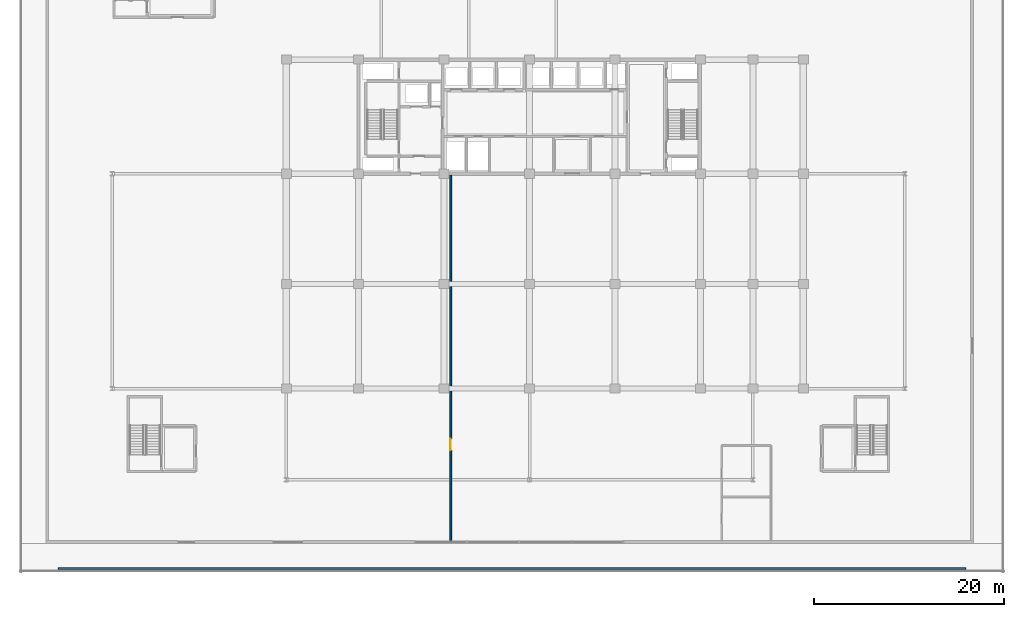
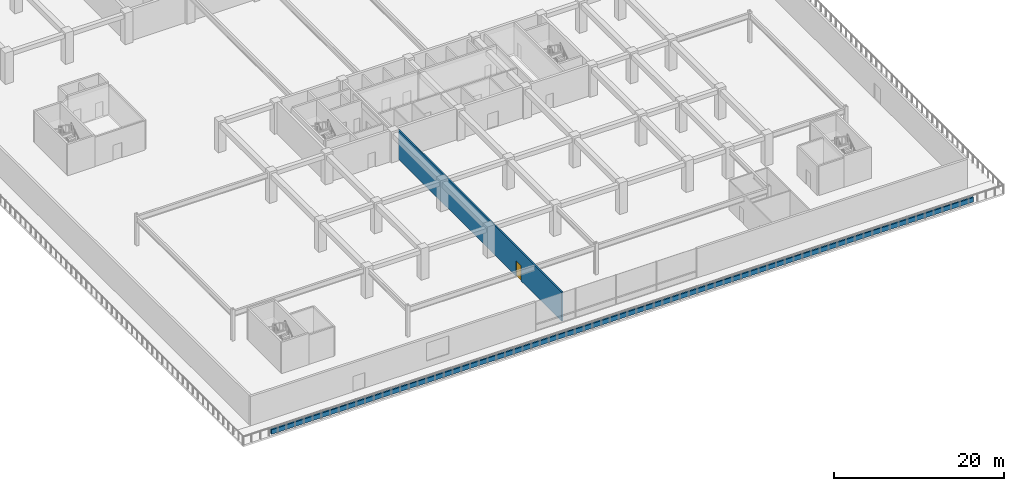
# One storey, part 19 of 43: 2 walls, 1 door, 1 opening.
"""IFC4 building model written with IfcOpenShell, lengths in metres."""

from ifc_helpers import new_model, si_unit, direction, frame, frame_2d, origin, place, context, subcontext, project, spatial, rectangle, extrude, material, layer, layer_set, type_object, element, fill, save


model = new_model("IFC4")

# Units and contexts
model_context = context("Model", 3, precision=1e-05, world=origin(), true_north=direction((0.0, 1.0)))
body_context = subcontext(model_context, "Body", "Model", "MODEL_VIEW")
ifc_project = project(units=[si_unit("LENGTHUNIT", "METRE"), si_unit("AREAUNIT", "SQUARE_METRE"), si_unit("VOLUMEUNIT", "CUBIC_METRE"), si_unit("PLANEANGLEUNIT", "RADIAN"), si_unit("MASSUNIT", "GRAM", prefix="KILO")], contexts=[model_context])

# Site, building, storey
site_placement = place(None, origin())
site = spatial("IfcSite", under=ifc_project, at=site_placement, CompositionType="ELEMENT")
building_placement = place(site_placement, origin())
building = spatial("IfcBuilding", under=site, at=building_placement, Name="Korimba Cascade Residences", CompositionType="ELEMENT")
storey_placement = place(building_placement, frame((0.0, 0.0, 10.0)))
storey = spatial("IfcBuildingStorey", under=building, at=storey_placement, Name="L02", CompositionType="ELEMENT", Elevation=10.0)

# Wall
ifc_material_1 = material(Name="Precast concrete C40/50", Category="concrete")
ifc_layer_1 = layer(ifc_material_1, 0.199951171875)
ifc_layer_set_1 = layer_set([ifc_layer_1], Name="Precast concrete C40/50")
wall_type_1 = type_object("IfcWallType", Name="EW-PLANTER-200", PredefinedType="PARAPET", material=ifc_layer_set_1)
wall_1_placement = place(storey_placement, frame((50.5, -23.14990234375, 0.0), z_axis=(0.0, 0.0, 1.0), x_axis=(1.0, 0.0, 0.0)))
element("IfcWall", 1, at=wall_1_placement, inside=storey, type_object=wall_type_1, Name="L02 Cascading Terrace Stone PLANTER Box S", PredefinedType="PARAPET", context=body_context, shape_type="SweptSolid", body=[
    extrude(rectangle(XDim=95.5, YDim=0.199951171875, at=frame_2d((47.75, 0.0))), origin(), (0.0, 0.0, 1.0), 0.64990234375),
])

# Wall, opening, door
ifc_material_2 = material(Name="Concrete C40/50", Category="concrete")
ifc_layer_2 = layer(ifc_material_2, 0.199951171875)
ifc_layer_set_2 = layer_set([ifc_layer_2], Name="Concrete C40/50")
wall_type_2 = type_object("IfcWallType", Name="WAL-PART-200", PredefinedType="PARTITIONING", material=ifc_layer_set_2)
wall_2_placement = place(storey_placement, frame((91.800048828125, -20.199951171875, 0.0), z_axis=(0.0, 0.0, 1.0), x_axis=(0.0, 1.0, 0.0)))
wall_2 = element("IfcWall", 2, at=wall_2_placement, inside=storey, type_object=wall_type_2, Name="L02 Partition Wall WAL-L02-SDIV", PredefinedType="PARTITIONING", context=body_context, shape_type="SweptSolid", body=[
    extrude(rectangle(XDim=38.449951171875, YDim=0.199951171875, at=frame_2d((19.22509765625, 0.0))), origin(), (0.0, 0.0, 1.0), 4.199951171875),
])
opening_placement = place(wall_2_placement, frame((9.5, 0.0, 0.0)))
opening = element("IfcOpeningElement", 3, at=opening_placement, cuts=wall_2, Name="Opening D-AM1", PredefinedType="OPENING", context=body_context, shape_type="SweptSolid", body=[
    extrude(rectangle(XDim=1.219970703125, YDim=2.179931640625, at=frame_2d((0.60986328125, 1.08984375))), frame((0.0, 0.10986328125, 0.0), z_axis=(0.0, -1.0, 0.0), x_axis=(1.0, 0.0, 0.0)), (0.0, 0.0, 1.0), 0.219970703125),
])
ifc_material_3 = material(Name="Fire-Rated Glazed Timber Suite Door", Category="wood")
door_type = type_object("IfcDoorType", Name="DR-FD60-1200", OperationType="NOTDEFINED", PredefinedType="DOOR", material=ifc_material_3)
door_placement = place(opening_placement, origin())
door = element("IfcDoor", 4, at=door_placement, inside=storey, type_object=door_type, Name="L02 South Podium Link Door", OperationType="SINGLE_SWING_LEFT", OverallHeight=2.179931640625, OverallWidth=1.219970703125, PredefinedType="DOOR", context=body_context, shape_type="SweptSolid", body=[
    extrude(rectangle(XDim=1.219970703125, YDim=2.179931640625, at=frame_2d((0.60986328125, 1.08984375))), frame((0.0, 0.02490234375, 0.0), z_axis=(0.0, -1.0, 0.0), x_axis=(1.0, 0.0, 0.0)), (0.0, 0.0, 1.0), 0.050048828125),
])
fill(opening, door)

save(model, "model.ifc")
